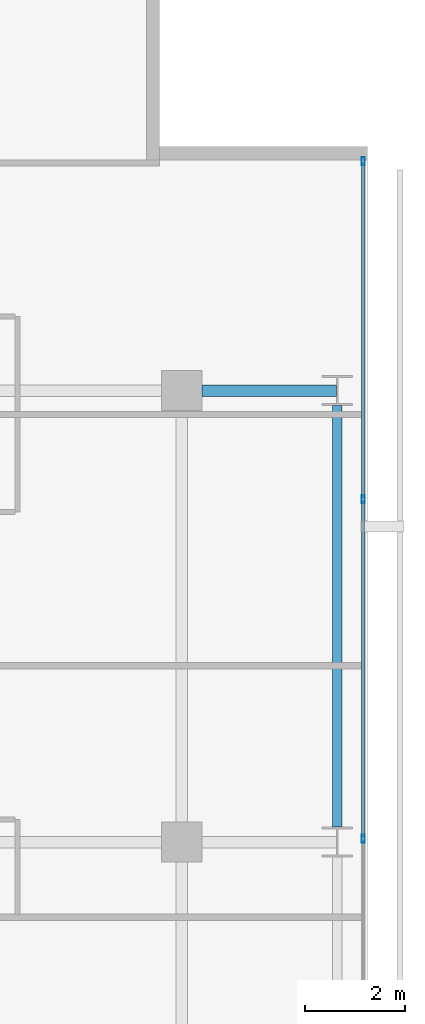
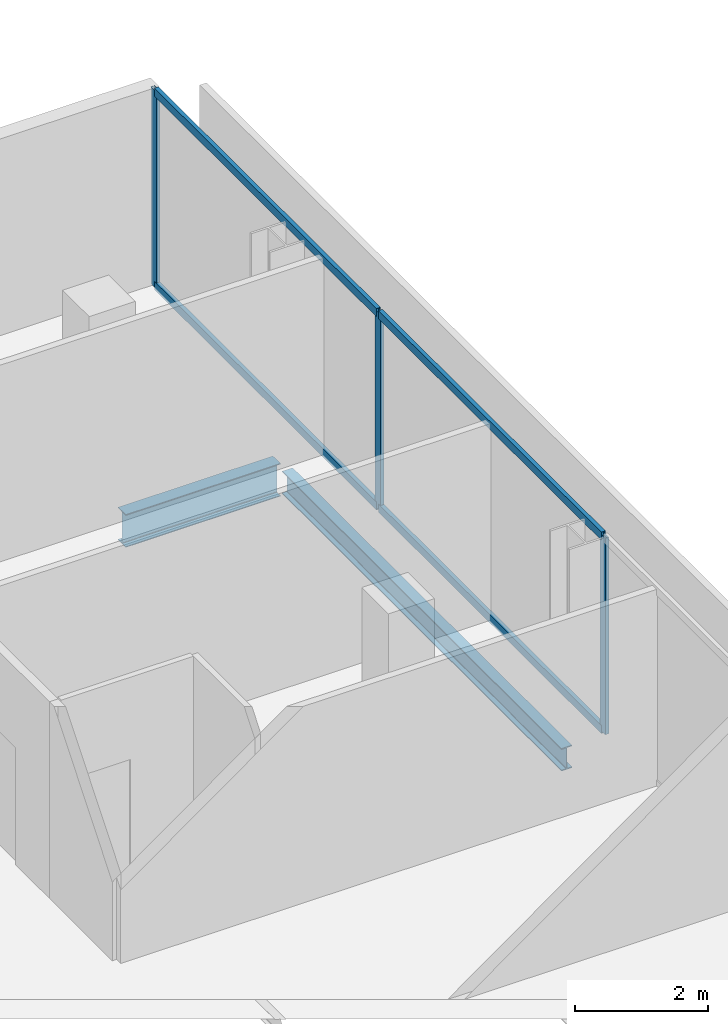
# One storey, part 24 of 34: 7 members, 2 beams, 1 element without a shape of its own.
"""IFC4 building model written with IfcOpenShell, lengths in metres."""

from ifc_helpers import new_model, si_unit, direction, frame, origin, origin_2d, place, context, subcontext, project, spatial, hollow_rectangle, i_section, extrude, material, layer, layer_set, material_profile, profile_set, type_object, element, aggregate, save


model = new_model("IFC4")

# Units and contexts
model_context = context("Model", 3, precision=1e-05, world=origin(), true_north=direction((0.0, 1.0)))
body_context = subcontext(model_context, "Body", "Model", "MODEL_VIEW")
ifc_project = project(units=[si_unit("LENGTHUNIT", "METRE"), si_unit("AREAUNIT", "SQUARE_METRE"), si_unit("VOLUMEUNIT", "CUBIC_METRE"), si_unit("PLANEANGLEUNIT", "RADIAN"), si_unit("MASSUNIT", "GRAM", prefix="KILO")], contexts=[model_context])

# Site, building, storey
site_placement = place(None, origin())
site = spatial("IfcSite", under=ifc_project, at=site_placement, CompositionType="ELEMENT")
building_placement = place(site_placement, origin())
building = spatial("IfcBuilding", under=site, at=building_placement, Name="Maruvema Waterfront Hotel and Observation Tower", CompositionType="ELEMENT")
storey_placement = place(building_placement, frame((0.0, 0.0, 181.300048828125)))
storey = spatial("IfcBuildingStorey", under=building, at=storey_placement, Name="L44", CompositionType="ELEMENT", Elevation=181.300048828125)

# Curtain wall, members
ifc_material_1 = material(Name="Anodised bronze aluminium and solar-control low-E IGU", Category="aluminium")
ifc_layer = layer(ifc_material_1, 0.159912109375, Name="Zone 2 Amber Inner Thermal Curtain Wall System CW-03")
ifc_layer_set = layer_set([ifc_layer], Name="Anodised bronze aluminium and solar-control low-E IGU")
curtain_wall_type = type_object("IfcCurtainWallType", Name="Zone 2 Amber Inner Thermal Curtain Wall System CW-03", PredefinedType="USERDEFINED", material=ifc_layer_set)
curtain_wall_placement = place(storey_placement, origin())
curtain_wall = element("IfcCurtainWall", 1, at=curtain_wall_placement, inside=storey, type_object=curtain_wall_type, Name="L44 Curtain Wall CW-L44-E", ObjectType="UNITISED CURTAIN WALL", PredefinedType="USERDEFINED")
ifc_material_2 = material(Name="Anodised architectural bronze aluminium", Category="aluminium")
ifc_material_profile_1 = material_profile(ifc_material_2, hollow_rectangle(XDim=0.070068359375, YDim=0.14990234375, WallThickness=0.00390625, at=origin_2d()), Name="ALU-T70x150")
ifc_profile_set_1 = profile_set([ifc_material_profile_1], Name="Anodised architectural bronze aluminium")
member_type_1 = type_object("IfcMemberType", Name="Curtain Wall Horizontal Transom ALU-T70x150", PredefinedType="USERDEFINED", material=ifc_profile_set_1)
member_1_placement = place(storey_placement, frame((62.419921875, 36.0966796875, 0.030029296875), z_axis=(0.0, 1.0, 0.0), x_axis=(-1.0, 0.0, 0.0)))
member_1 = element("IfcMember", 2, at=member_1_placement, type_object=member_type_1, Name="CW-03 transom 5.1", ObjectType="TRANSOM", PredefinedType="USERDEFINED", context=body_context, shape_type="SweptSolid", body=[
    extrude(hollow_rectangle(XDim=0.070068359375, YDim=0.14990234375, WallThickness=0.00390625, at=origin_2d()), origin(), (0.0, 0.0, 1.0), 6.70654296875),
])
member_2_placement = place(storey_placement, frame((62.419921875, 36.0966796875, 3.579833984375), z_axis=(0.0, 1.0, 0.0), x_axis=(-1.0, 0.0, 0.0)))
member_2 = element("IfcMember", 3, at=member_2_placement, type_object=member_type_1, Name="CW-03 transom 5.2", ObjectType="TRANSOM", PredefinedType="USERDEFINED", context=body_context, shape_type="SweptSolid", body=[
    extrude(hollow_rectangle(XDim=0.070068359375, YDim=0.14990234375, WallThickness=0.00390625, at=origin_2d()), origin(), (0.0, 0.0, 1.0), 6.70654296875),
])
member_3_placement = place(storey_placement, frame((62.419921875, 42.86328125, 0.030029296875), z_axis=(0.0, 1.0, 0.0), x_axis=(-1.0, 0.0, 0.0)))
member_3 = element("IfcMember", 4, at=member_3_placement, type_object=member_type_1, Name="CW-03 transom 6.1", ObjectType="TRANSOM", PredefinedType="USERDEFINED", context=body_context, shape_type="SweptSolid", body=[
    extrude(hollow_rectangle(XDim=0.070068359375, YDim=0.14990234375, WallThickness=0.00390625, at=origin_2d()), origin(), (0.0, 0.0, 1.0), 6.6767578125),
])
member_4_placement = place(storey_placement, frame((62.419921875, 42.86328125, 3.579833984375), z_axis=(0.0, 1.0, 0.0), x_axis=(-1.0, 0.0, 0.0)))
member_4 = element("IfcMember", 5, at=member_4_placement, type_object=member_type_1, Name="CW-03 transom 6.2", ObjectType="TRANSOM", PredefinedType="USERDEFINED", context=body_context, shape_type="SweptSolid", body=[
    extrude(hollow_rectangle(XDim=0.070068359375, YDim=0.14990234375, WallThickness=0.00390625, at=origin_2d()), origin(), (0.0, 0.0, 1.0), 6.6767578125),
])
ifc_material_3 = material(Name="Anodised architectural bronze aluminium", Category="aluminium")
ifc_material_profile_2 = material_profile(ifc_material_3, hollow_rectangle(XDim=0.06494140625, YDim=0.1650390625, WallThickness=0.00390625, at=origin_2d()), Name="ALU-M65x165")
ifc_profile_set_2 = profile_set([ifc_material_profile_2], Name="Anodised architectural bronze aluminium")
member_type_2 = type_object("IfcMemberType", Name="Curtain Wall Primary Mullion ALU-M65x165", PredefinedType="MULLION", material=ifc_profile_set_2)
member_5_placement = place(storey_placement, frame((62.419921875, 36.066650390625, 0.0), z_axis=(0.0, 0.0, 1.0), x_axis=(-1.0, 0.0, 0.0)))
member_5 = element("IfcMember", 6, at=member_5_placement, type_object=member_type_2, Name="CW-03 mullion 5", PredefinedType="MULLION", context=body_context, shape_type="SweptSolid", body=[
    extrude(hollow_rectangle(XDim=0.06494140625, YDim=0.1650390625, WallThickness=0.00390625, at=origin_2d()), origin(), (0.0, 0.0, 1.0), 3.60986328125),
])
member_6_placement = place(storey_placement, frame((62.419921875, 42.833251953125, 0.0), z_axis=(0.0, 0.0, 1.0), x_axis=(-1.0, 0.0, 0.0)))
member_6 = element("IfcMember", 7, at=member_6_placement, type_object=member_type_2, Name="CW-03 mullion 6", PredefinedType="MULLION", context=body_context, shape_type="SweptSolid", body=[
    extrude(hollow_rectangle(XDim=0.06494140625, YDim=0.1650390625, WallThickness=0.00390625, at=origin_2d()), origin(), (0.0, 0.0, 1.0), 3.60986328125),
])
member_7_placement = place(storey_placement, frame((62.419921875, 49.570068359375, 0.0), z_axis=(0.0, 0.0, 1.0), x_axis=(-1.0, 0.0, 0.0)))
member_7 = element("IfcMember", 8, at=member_7_placement, type_object=member_type_2, Name="CW-03 mullion 7", PredefinedType="MULLION", context=body_context, shape_type="SweptSolid", body=[
    extrude(hollow_rectangle(XDim=0.06494140625, YDim=0.1650390625, WallThickness=0.00390625, at=origin_2d()), origin(), (0.0, 0.0, 1.0), 3.60986328125),
])
aggregate(curtain_wall, [member_5, member_6, member_7, member_1, member_2, member_3, member_4])

# Beams
ifc_material_4 = material(Name="Steel ASTM A572 Grade 50", Category="steel")
ifc_material_profile_3 = material_profile(ifc_material_4, i_section(OverallWidth=0.180908203125, OverallDepth=0.4169921875, WebThickness=0.010986328125, FlangeThickness=0.018310546875, FilletRadius=0.014892578125, at=origin_2d()), Name="W410x85.0")
ifc_profile_set_3 = profile_set([ifc_material_profile_3], Name="Steel ASTM A572 Grade 50")
beam_type_1 = type_object("IfcBeamType", Name="Perimeter Spandrel Beam W410x85.0", PredefinedType="SPANDREL", material=ifc_profile_set_3)
beam_1_placement = place(storey_placement, frame((61.89990234375, 36.300048828125, -0.448486328125), z_axis=(0.0, 1.0, 0.0), x_axis=(-1.0, 0.0, 0.0)))
element("IfcBeam", 9, at=beam_1_placement, inside=storey, type_object=beam_type_1, Name="L44 Floor Girder NS-32", PredefinedType="SPANDREL", context=body_context, shape_type="SweptSolid", body=[
    extrude(i_section(OverallWidth=0.180908203125, OverallDepth=0.4169921875, WebThickness=0.010986328125, FlangeThickness=0.018310546875, FilletRadius=0.014892578125, at=origin_2d()), origin(), (0.0, 0.0, 1.0), 8.39990234375),
])
ifc_material_5 = material(Name="Steel ASTM A572 Grade 50", Category="steel")
ifc_material_profile_4 = material_profile(ifc_material_5, i_section(OverallWidth=0.22802734375, OverallDepth=0.60302734375, WebThickness=0.010498046875, FlangeThickness=0.014892578125, FilletRadius=0.01806640625, at=origin_2d()), Name="W610x101.0")
ifc_profile_set_4 = profile_set([ifc_material_profile_4], Name="Steel ASTM A572 Grade 50")
beam_type_2 = type_object("IfcBeamType", Name="Primary Floor Girder W610x101.0", PredefinedType="BEAM", material=ifc_profile_set_4)
beam_2_placement = place(storey_placement, frame((59.199951171875, 45.0, -0.54150390625), z_axis=(1.0, 0.0, 0.0), x_axis=(0.0, 1.0, 0.0)))
element("IfcBeam", 10, at=beam_2_placement, inside=storey, type_object=beam_type_2, Name="L44 Floor Girder EW-33", PredefinedType="BEAM", context=body_context, shape_type="SweptSolid", body=[
    extrude(i_section(OverallWidth=0.22802734375, OverallDepth=0.60302734375, WebThickness=0.010498046875, FlangeThickness=0.014892578125, FilletRadius=0.01806640625, at=origin_2d()), origin(), (0.0, 0.0, 1.0), 2.6875),
])

save(model, "model.ifc")
